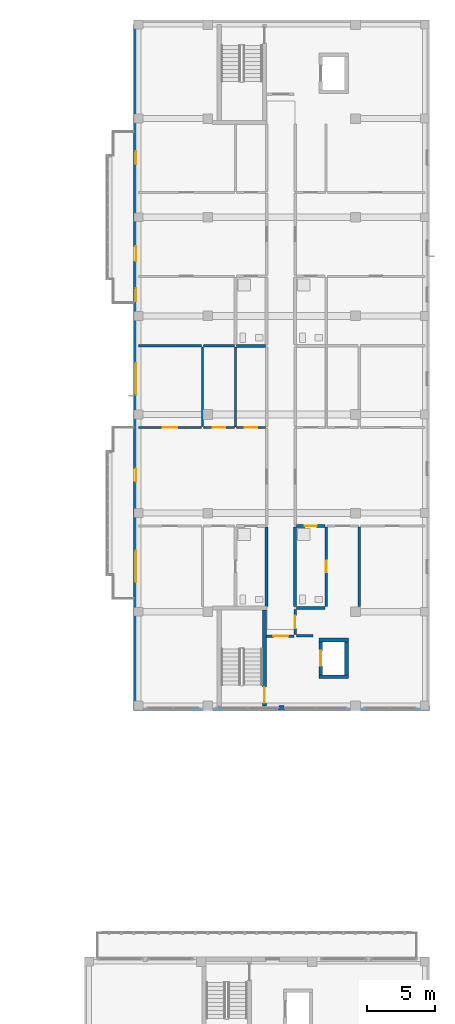
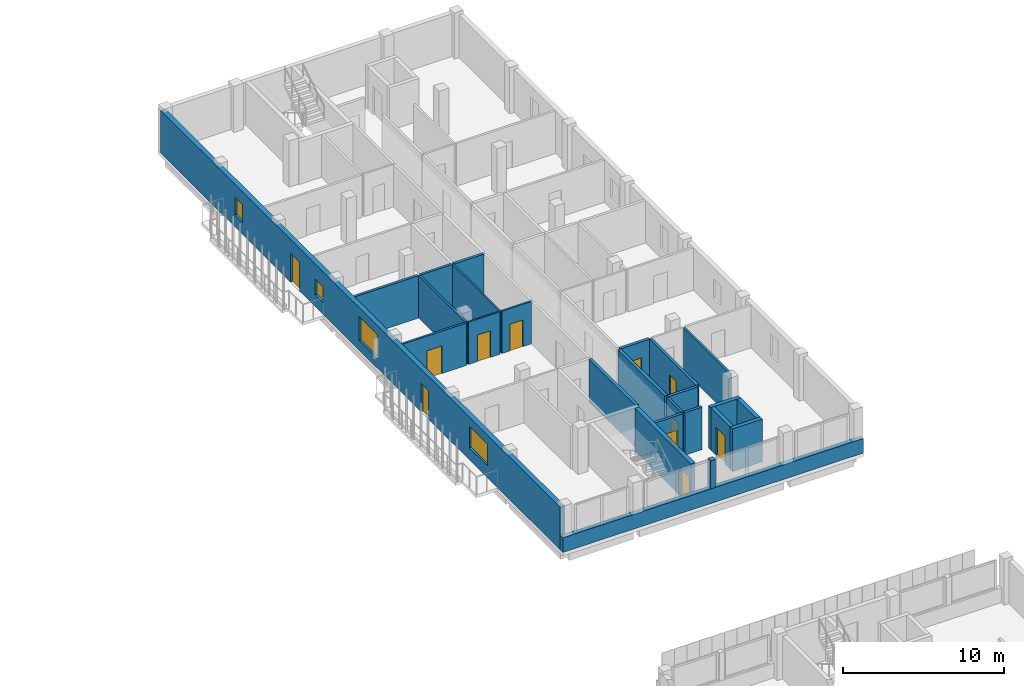
# One storey, part 49 of 73: 25 walls, 11 doors, 4 windows, 15 openings.
"""IFC4 building model written with IfcOpenShell, lengths in metres."""

from ifc_helpers import new_model, si_unit, derived_unit, direction, frame, frame_2d, origin, place, context, subcontext, project, spatial, rectangle, extrude, material, layer, layer_set, type_object, element, fill, save


model = new_model("IFC4")

# Units and contexts
model_context = context("Model", 3, precision=1e-05, world=origin(), true_north=direction((0.0, 1.0)))
body_context = subcontext(model_context, "Body", "Model", "MODEL_VIEW")
ifc_project = project(units=[si_unit("LENGTHUNIT", "METRE"), si_unit("AREAUNIT", "SQUARE_METRE"), si_unit("VOLUMEUNIT", "CUBIC_METRE"), si_unit("PLANEANGLEUNIT", "RADIAN"), si_unit("MASSUNIT", "GRAM", prefix="KILO"), derived_unit("THERMALTRANSMITTANCEUNIT", [(si_unit("MASSUNIT", "GRAM", prefix="KILO"), 1), (si_unit("TIMEUNIT", "SECOND"), -3), (si_unit("THERMODYNAMICTEMPERATUREUNIT", "KELVIN"), -1)])], contexts=[model_context])

# Site, building, storey
site_placement = place(None, origin())
site = spatial("IfcSite", under=ifc_project, at=site_placement, CompositionType="ELEMENT")
building_placement = place(site_placement, origin())
building = spatial("IfcBuilding", under=site, at=building_placement, Name="Ochrekiln Boulevard Commons", CompositionType="ELEMENT")
storey_placement = place(building_placement, frame((0.0, 0.0, 8.574951171875)))
storey = spatial("IfcBuildingStorey", under=building, at=storey_placement, Name="L02", CompositionType="ELEMENT", Elevation=8.574951171875)

# Wall, openings, doors, windows
ifc_material_1 = material(Name="Iron-spot brown clinker brick masonry ASTM C216 Grade SW", Category="masonry")
ifc_layer_1 = layer(ifc_material_1, 0.340087890625)
ifc_layer_set_1 = layer_set([ifc_layer_1], Name="Iron-spot brown clinker brick masonry ASTM C216 Grade SW")
wall_type_1 = type_object("IfcWallType", Name="WL-EXT-IRON-340", PredefinedType="SOLIDWALL", material=ifc_layer_set_1)
wall_1_placement = place(storey_placement, frame((151.3701171875, 68.739990234375, 0.0), z_axis=(0.0, 0.0, 1.0), x_axis=(0.0, 1.0, 0.0)))
wall_1 = element("IfcWall", 1, at=wall_1_placement, inside=storey, type_object=wall_type_1, Name="Block B L02 W Exterior Wall", PredefinedType="SOLIDWALL", context=body_context, shape_type="SweptSolid", body=[
    extrude(rectangle(XDim=49.719970703125, YDim=0.340087890625, at=frame_2d((24.85986328125, 0.0))), origin(), (0.0, 0.0, 1.0), 3.239990234375),
])
opening_1_placement = place(wall_1_placement, frame((16.360107421875, 0.0, 0.0)))
opening_1 = element("IfcOpeningElement", 2, at=opening_1_placement, cuts=wall_1, Name="Opening D-L02-BL023", PredefinedType="OPENING", context=body_context, shape_type="SweptSolid", body=[
    extrude(rectangle(XDim=0.949951171875, YDim=2.14990234375, at=frame_2d((0.47509765625, 1.074951171875))), frame((0.0, 0.179931640625, 0.0), z_axis=(0.0, -1.0, 0.0), x_axis=(1.0, 0.0, 0.0)), (0.0, 0.0, 1.0), 0.360107421875),
])
opening_2_placement = place(wall_1_placement, frame((9.001953125, 0.0, 0.89990234375)))
opening_2 = element("IfcOpeningElement", 3, at=opening_2_placement, cuts=wall_1, Name="Opening W-59", PredefinedType="OPENING", context=body_context, shape_type="SweptSolid", body=[
    extrude(rectangle(XDim=2.300048828125, YDim=1.64990234375, at=frame_2d((1.14990234375, 0.824951171875))), frame((0.0, 0.179931640625, 0.0), z_axis=(0.0, -1.0, 0.0), x_axis=(1.0, 0.0, 0.0)), (0.0, 0.0, 1.0), 0.360107421875),
])
opening_3_placement = place(wall_1_placement, frame((22.7041015625, 0.0, 0.7548828125)))
opening_3 = element("IfcOpeningElement", 4, at=opening_3_placement, cuts=wall_1, Name="Opening W-60", PredefinedType="OPENING", context=body_context, shape_type="SweptSolid", body=[
    extrude(rectangle(XDim=2.300048828125, YDim=1.800048828125, at=frame_2d((1.14990234375, 0.89990234375))), frame((0.0, 0.179931640625, 0.0), z_axis=(0.0, -1.0, 0.0), x_axis=(1.0, 0.0, 0.0)), (0.0, 0.0, 1.0), 0.360107421875),
])
opening_4_placement = place(wall_1_placement, frame((32.455078125, 0.0, 0.0)))
opening_4 = element("IfcOpeningElement", 5, at=opening_4_placement, cuts=wall_1, Name="Opening D-L02-BL024", PredefinedType="OPENING", context=body_context, shape_type="SweptSolid", body=[
    extrude(rectangle(XDim=1.080078125, YDim=2.179931640625, at=frame_2d((0.5400390625, 1.08984375))), frame((0.0, 0.179931640625, 0.0), z_axis=(0.0, -1.0, 0.0), x_axis=(1.0, 0.0, 0.0)), (0.0, 0.0, 1.0), 0.360107421875),
])
opening_5_placement = place(wall_1_placement, frame((29.52490234375, 0.0, 0.89990234375)))
opening_5 = element("IfcOpeningElement", 6, at=opening_5_placement, cuts=wall_1, Name="Opening W-01", PredefinedType="OPENING", context=body_context, shape_type="SweptSolid", body=[
    extrude(rectangle(XDim=0.949951171875, YDim=1.199951171875, at=frame_2d((0.47509765625, 0.60009765625))), frame((0.0, 0.179931640625, 0.0), z_axis=(0.0, -1.0, 0.0), x_axis=(1.0, 0.0, 0.0)), (0.0, 0.0, 1.0), 0.360107421875),
])
opening_6_placement = place(wall_1_placement, frame((39.529052734375, 0.0, 0.89990234375)))
opening_6 = element("IfcOpeningElement", 7, at=opening_6_placement, cuts=wall_1, Name="Opening W-02", PredefinedType="OPENING", context=body_context, shape_type="SweptSolid", body=[
    extrude(rectangle(XDim=0.949951171875, YDim=1.35009765625, at=frame_2d((0.47509765625, 0.675048828125))), frame((0.0, 0.179931640625, 0.0), z_axis=(0.0, -1.0, 0.0), x_axis=(1.0, 0.0, 0.0)), (0.0, 0.0, 1.0), 0.360107421875),
])
ifc_material_2 = material(Name="Thermally broken aluminium-clad oak frame", Category="aluminium")
door_type_1 = type_object("IfcDoorType", Name="DR-EXT-BAL-095", OperationType="NOTDEFINED", PredefinedType="DOOR", material=ifc_material_2)
door_1_placement = place(opening_1_placement, origin())
door_1 = element("IfcDoor", 8, at=door_1_placement, inside=storey, type_object=door_type_1, Name="Block B L02 Glazed Balcony Patio Door", OperationType="SINGLE_SWING_RIGHT", OverallHeight=2.14990234375, OverallWidth=0.949951171875, PredefinedType="DOOR", context=body_context, shape_type="SweptSolid", body=[
    extrude(rectangle(XDim=0.949951171875, YDim=2.14990234375, at=frame_2d((0.47509765625, 1.074951171875))), frame((0.0, 0.02490234375, 0.0), z_axis=(0.0, -1.0, 0.0), x_axis=(1.0, 0.0, 0.0)), (0.0, 0.0, 1.0), 0.050048828125),
])
fill(opening_1, door_1)
door_type_2 = type_object("IfcDoorType", Name="DR-EXT-BAL-108", OperationType="NOTDEFINED", PredefinedType="DOOR", material=ifc_material_2)
door_2_placement = place(opening_4_placement, origin())
door_2 = element("IfcDoor", 9, at=door_2_placement, inside=storey, type_object=door_type_2, Name="Block B L02 Glazed Balcony Patio Door", OperationType="SINGLE_SWING_LEFT", OverallHeight=2.179931640625, OverallWidth=1.080078125, PredefinedType="DOOR", context=body_context, shape_type="SweptSolid", body=[
    extrude(rectangle(XDim=1.080078125, YDim=2.179931640625, at=frame_2d((0.5400390625, 1.08984375))), frame((0.0, 0.02490234375, 0.0), z_axis=(0.0, -1.0, 0.0), x_axis=(1.0, 0.0, 0.0)), (0.0, 0.0, 1.0), 0.050048828125),
])
fill(opening_4, door_2)
window_type_1 = type_object("IfcWindowType", Name="WIN-EXT-01", PartitioningType="SINGLE_PANEL", PredefinedType="WINDOW", material=ifc_material_2)
window_1_placement = place(opening_5_placement, origin())
window_1 = element("IfcWindow", 10, at=window_1_placement, inside=storey, type_object=window_type_1, Name="Block B L02 Punched Masonry Window W-01", OverallHeight=1.199951171875, OverallWidth=0.949951171875, PartitioningType="SINGLE_PANEL", PredefinedType="WINDOW", context=body_context, shape_type="SweptSolid", body=[
    extrude(rectangle(XDim=0.949951171875, YDim=1.199951171875, at=frame_2d((0.47509765625, 0.60009765625))), frame((0.0, 0.030029296875, 0.0), z_axis=(0.0, -1.0, 0.0), x_axis=(1.0, 0.0, 0.0)), (0.0, 0.0, 1.0), 0.06005859375),
])
fill(opening_5, window_1)
window_type_2 = type_object("IfcWindowType", Name="WIN-EXT-02", PartitioningType="SINGLE_PANEL", PredefinedType="WINDOW", material=ifc_material_2)
window_2_placement = place(opening_6_placement, origin())
window_2 = element("IfcWindow", 11, at=window_2_placement, inside=storey, type_object=window_type_2, Name="Block B L02 Punched Masonry Window W-02", OverallHeight=1.35009765625, OverallWidth=0.949951171875, PartitioningType="SINGLE_PANEL", PredefinedType="WINDOW", context=body_context, shape_type="SweptSolid", body=[
    extrude(rectangle(XDim=0.949951171875, YDim=1.35009765625, at=frame_2d((0.47509765625, 0.675048828125))), frame((0.0, 0.030029296875, 0.0), z_axis=(0.0, -1.0, 0.0), x_axis=(1.0, 0.0, 0.0)), (0.0, 0.0, 1.0), 0.06005859375),
])
fill(opening_6, window_2)
window_type_3 = type_object("IfcWindowType", Name="WIN-EXT-59", PartitioningType="DOUBLE_PANEL_VERTICAL", PredefinedType="WINDOW", material=ifc_material_2)
window_3_placement = place(opening_2_placement, origin())
window_3 = element("IfcWindow", 12, at=window_3_placement, inside=storey, type_object=window_type_3, Name="Block B L02 Punched Masonry Window W-59", OverallHeight=1.64990234375, OverallWidth=2.300048828125, PartitioningType="DOUBLE_PANEL_VERTICAL", PredefinedType="WINDOW", context=body_context, shape_type="SweptSolid", body=[
    extrude(rectangle(XDim=2.300048828125, YDim=1.64990234375, at=frame_2d((1.14990234375, 0.824951171875))), frame((0.0, 0.030029296875, 0.0), z_axis=(0.0, -1.0, 0.0), x_axis=(1.0, 0.0, 0.0)), (0.0, 0.0, 1.0), 0.06005859375),
])
fill(opening_2, window_3)
window_type_4 = type_object("IfcWindowType", Name="WIN-EXT-60", PartitioningType="DOUBLE_PANEL_VERTICAL", PredefinedType="WINDOW", material=ifc_material_2)
window_4_placement = place(opening_3_placement, origin())
window_4 = element("IfcWindow", 13, at=window_4_placement, inside=storey, type_object=window_type_4, Name="Block B L02 Punched Masonry Window W-60", OverallHeight=1.800048828125, OverallWidth=2.300048828125, PartitioningType="DOUBLE_PANEL_VERTICAL", PredefinedType="WINDOW", context=body_context, shape_type="SweptSolid", body=[
    extrude(rectangle(XDim=2.300048828125, YDim=1.800048828125, at=frame_2d((1.14990234375, 0.89990234375))), frame((0.0, 0.030029296875, 0.0), z_axis=(0.0, -1.0, 0.0), x_axis=(1.0, 0.0, 0.0)), (0.0, 0.0, 1.0), 0.06005859375),
])
fill(opening_3, window_4)

# Walls
wall_2_placement = place(storey_placement, frame((151.199951171875, 68.570068359375, 0.0), z_axis=(0.0, 0.0, 1.0), x_axis=(1.0, 0.0, 0.0)))
element("IfcWall", 14, at=wall_2_placement, inside=storey, type_object=wall_type_1, Name="Block B L02 Courtyard Gable Sill Wall", PredefinedType="SOLIDWALL", context=body_context, shape_type="SweptSolid", body=[
    extrude(rectangle(XDim=21.60009765625, YDim=0.340087890625, at=frame_2d((10.800048828125, 0.0))), origin(), (0.0, 0.0, 1.0), 1.110107421875),
])
wall_3_placement = place(storey_placement, frame((161.820068359375, 68.570068359375, 1.110107421875), z_axis=(0.0, 0.0, 1.0), x_axis=(1.0, 0.0, 0.0)))
element("IfcWall", 15, at=wall_3_placement, inside=storey, type_object=wall_type_1, Name="Block B L02 Courtyard Gable Mullion Pier", PredefinedType="SOLIDWALL", context=body_context, shape_type="SweptSolid", body=[
    extrude(rectangle(XDim=0.35986328125, YDim=0.340087890625, at=frame_2d((0.179931640625, 0.0))), origin(), (0.0, 0.0, 1.0), 2.1298828125),
])
ifc_material_3 = material(Name="Moisture-resistant cementitious tile backer wall")
ifc_layer_2 = layer(ifc_material_3, 0.199951171875)
ifc_layer_set_2 = layer_set([ifc_layer_2], Name="Moisture-resistant cementitious tile backer wall")
wall_type_2 = type_object("IfcWallType", Name="WL-PLM-200", PredefinedType="PLUMBINGWALL", material=ifc_layer_set_2)
wall_4_placement = place(storey_placement, frame((163.072998046875, 75.875, 0.0), z_axis=(0.0, 0.0, 1.0), x_axis=(1.0, 0.0, 0.0)))
element("IfcWall", 16, at=wall_4_placement, inside=storey, type_object=wall_type_2, Name="L02 Interior Wall W-PW200", PredefinedType="PLUMBINGWALL", context=body_context, shape_type="SweptSolid", body=[
    extrude(rectangle(XDim=2.10693359375, YDim=0.199951171875, at=frame_2d((1.053466796875, 0.0))), origin(), (0.0, 0.0, 1.0), 3.219970703125),
])
wall_5_placement = place(storey_placement, frame((158.699951171875, 95.008056640625, 0.0), z_axis=(0.0, 0.0, 1.0), x_axis=(1.0, 0.0, 0.0)))
element("IfcWall", 17, at=wall_5_placement, inside=storey, type_object=wall_type_2, Name="L02 Interior Wall W-PW200", PredefinedType="PLUMBINGWALL", context=body_context, shape_type="SweptSolid", body=[
    extrude(rectangle(XDim=2.126953125, YDim=0.199951171875, at=frame_2d((1.0634765625, 0.0))), origin(), (0.0, 0.0, 1.0), 3.219970703125),
])

# Wall, opening, door
wall_6_placement = place(storey_placement, frame((163.072998046875, 81.864990234375, 0.0), z_axis=(0.0, 0.0, 1.0), x_axis=(1.0, 0.0, 0.0)))
wall_6 = element("IfcWall", 18, at=wall_6_placement, inside=storey, type_object=wall_type_2, Name="L02 Interior Wall W-PW200", PredefinedType="PLUMBINGWALL", context=body_context, shape_type="SweptSolid", body=[
    extrude(rectangle(XDim=2.10693359375, YDim=0.199951171875, at=frame_2d((1.053466796875, 0.0))), origin(), (0.0, 0.0, 1.0), 3.219970703125),
])
opening_7_placement = place(wall_6_placement, frame((0.626953125, 0.0, 0.0)))
opening_7 = element("IfcOpeningElement", 19, at=opening_7_placement, cuts=wall_6, Name="Opening D-L02-354", PredefinedType="OPENING", context=body_context, shape_type="SweptSolid", body=[
    extrude(rectangle(XDim=0.860107421875, YDim=2.0, at=frame_2d((0.43017578125, 1.0))), frame((0.0, 0.10986328125, 0.0), z_axis=(0.0, -1.0, 0.0), x_axis=(1.0, 0.0, 0.0)), (0.0, 0.0, 1.0), 0.219970703125),
])
ifc_material_4 = material(Name="Solid core architectural oak door leaf")
door_type_3 = type_object("IfcDoorType", Name="DR-INT-BTH-086", OperationType="NOTDEFINED", PredefinedType="DOOR", material=ifc_material_4)
door_3_placement = place(opening_7_placement, frame((0.860107421875, 0.0, 0.0), z_axis=(0.0, 0.0, 1.0), x_axis=(-1.0, 0.0, 0.0)))
door_3 = element("IfcDoor", 20, at=door_3_placement, inside=storey, type_object=door_type_3, Name="L02 Interior Door to Apartment Bathroom", OperationType="SINGLE_SWING_RIGHT", OverallHeight=2.0, OverallWidth=0.860107421875, PredefinedType="DOOR", context=body_context, shape_type="SweptSolid", body=[
    extrude(rectangle(XDim=0.860107421875, YDim=2.0, at=frame_2d((0.43017578125, 1.0))), frame((0.0, 0.02490234375, 0.0), z_axis=(0.0, -1.0, 0.0), x_axis=(1.0, 0.0, 0.0)), (0.0, 0.0, 1.0), 0.050048828125),
])
fill(opening_7, door_3)

wall_7_placement = place(storey_placement, frame((165.260009765625, 75.97509765625, 0.0), z_axis=(0.0, 0.0, 1.0), x_axis=(0.0, 1.0, 0.0)))
wall_7 = element("IfcWall", 21, at=wall_7_placement, inside=storey, type_object=wall_type_2, Name="L02 Interior Wall W-PW200", PredefinedType="PLUMBINGWALL", context=body_context, shape_type="SweptSolid", body=[
    extrude(rectangle(XDim=5.829833984375, YDim=0.199951171875, at=frame_2d((2.9150390625, 0.0))), origin(), (0.0, 0.0, 1.0), 3.219970703125),
])
opening_8_placement = place(wall_7_placement, frame((2.492919921875, 0.0, 0.0)))
opening_8 = element("IfcOpeningElement", 22, at=opening_8_placement, cuts=wall_7, Name="Opening D-L02-360", PredefinedType="OPENING", context=body_context, shape_type="SweptSolid", body=[
    extrude(rectangle(XDim=0.85009765625, YDim=2.010009765625, at=frame_2d((0.425048828125, 1.0048828125))), frame((0.0, 0.10986328125, 0.0), z_axis=(0.0, -1.0, 0.0), x_axis=(1.0, 0.0, 0.0)), (0.0, 0.0, 1.0), 0.219970703125),
])
door_type_4 = type_object("IfcDoorType", Name="DR-INT-KIT-085", OperationType="NOTDEFINED", PredefinedType="DOOR", material=ifc_material_4)
door_4_placement = place(opening_8_placement, origin())
door_4 = element("IfcDoor", 23, at=door_4_placement, inside=storey, type_object=door_type_4, Name="L02 Interior Door to Apartment Bathroom", OperationType="SINGLE_SWING_RIGHT", OverallHeight=2.010009765625, OverallWidth=0.85009765625, PredefinedType="DOOR", context=body_context, shape_type="SweptSolid", body=[
    extrude(rectangle(XDim=0.85009765625, YDim=2.010009765625, at=frame_2d((0.425048828125, 1.0048828125))), frame((0.0, 0.02490234375, 0.0), z_axis=(0.0, -1.0, 0.0), x_axis=(1.0, 0.0, 0.0)), (0.0, 0.0, 1.0), 0.050048828125),
])
fill(opening_8, door_4)

# Walls
ifc_layer_3 = layer(ifc_material_3, 0.219970703125)
ifc_layer_set_3 = layer_set([ifc_layer_3], Name="Moisture-resistant cementitious tile backer wall")
wall_type_3 = type_object("IfcWallType", Name="WL-PLM-220", PredefinedType="PLUMBINGWALL", material=ifc_layer_set_3)
wall_8_placement = place(storey_placement, frame((160.909912109375, 76.0, 0.0), z_axis=(0.0, 0.0, 1.0), x_axis=(0.0, 1.0, 0.0)))
element("IfcWall", 24, at=wall_8_placement, inside=storey, type_object=wall_type_3, Name="L02 Interior Wall W-PW220", PredefinedType="PLUMBINGWALL", context=body_context, shape_type="SweptSolid", body=[
    extrude(rectangle(XDim=5.784912109375, YDim=0.219970703125, at=frame_2d((2.892578125, 0.0))), origin(), (0.0, 0.0, 1.0), 3.219970703125),
])
wall_9_placement = place(storey_placement, frame((162.989990234375, 75.97509765625, 0.0), z_axis=(0.0, 0.0, 1.0), x_axis=(0.0, 1.0, 0.0)))
element("IfcWall", 25, at=wall_9_placement, inside=storey, type_object=wall_type_3, Name="L02 Interior Wall W-PW220", PredefinedType="PLUMBINGWALL", context=body_context, shape_type="SweptSolid", body=[
    extrude(rectangle(XDim=5.809814453125, YDim=0.219970703125, at=frame_2d((2.90478515625, 0.0))), origin(), (0.0, 0.0, 1.0), 3.219970703125),
])

# Wall, opening, door
ifc_material_5 = material(Name="Fire-rated Type X gypsum board on steel studs", Category="steel")
ifc_layer_4 = layer(ifc_material_5, 0.1650390625)
ifc_layer_set_4 = layer_set([ifc_layer_4], Name="Fire-rated Type X gypsum board on steel studs")
wall_type_4 = type_object("IfcWallType", Name="WL-PT-CORR-165", PredefinedType="PARTITIONING", material=ifc_layer_set_4)
wall_10_placement = place(storey_placement, frame((162.989990234375, 73.929931640625, 0.0), z_axis=(0.0, 0.0, 1.0), x_axis=(0.0, 1.0, 0.0)))
wall_10 = element("IfcWall", 26, at=wall_10_placement, inside=storey, type_object=wall_type_4, Name="L02 Interior Wall W-PC165", PredefinedType="PARTITIONING", context=body_context, shape_type="SweptSolid", body=[
    extrude(rectangle(XDim=1.820068359375, YDim=0.1650390625, at=frame_2d((0.91015625, 0.0))), origin(), (0.0, 0.0, 1.0), 3.219970703125),
])
opening_9_placement = place(wall_10_placement, frame((0.4599609375, 0.0, 0.0)))
opening_9 = element("IfcOpeningElement", 27, at=opening_9_placement, cuts=wall_10, Name="Opening D-L02-338", PredefinedType="OPENING", context=body_context, shape_type="SweptSolid", body=[
    extrude(rectangle(XDim=0.919921875, YDim=2.0400390625, at=frame_2d((0.4599609375, 1.02001953125))), frame((0.0, 0.092529296875, 0.0), z_axis=(0.0, -1.0, 0.0), x_axis=(1.0, 0.0, 0.0)), (0.0, 0.0, 1.0), 0.18505859375),
])
ifc_material_6 = material(Name="Hollow metal fire-rated steel door assembly", Category="steel")
door_type_5 = type_object("IfcDoorType", Name="DR-SRV-90", OperationType="NOTDEFINED", PredefinedType="DOOR", material=ifc_material_6)
door_5_placement = place(opening_9_placement, frame((0.919921875, 0.0, 0.0), z_axis=(0.0, 0.0, 1.0), x_axis=(-1.0, 0.0, 0.0)))
door_5 = element("IfcDoor", 28, at=door_5_placement, inside=storey, type_object=door_type_5, Name="L02 Interior Door to Hydronic and Electrical Riser Room", OperationType="SINGLE_SWING_RIGHT", OverallHeight=2.0400390625, OverallWidth=0.919921875, PredefinedType="DOOR", context=body_context, shape_type="SweptSolid", body=[
    extrude(rectangle(XDim=0.919921875, YDim=2.0400390625, at=frame_2d((0.4599609375, 1.02001953125))), frame((0.0, 0.02490234375, 0.0), z_axis=(0.0, -1.0, 0.0), x_axis=(1.0, 0.0, 0.0)), (0.0, 0.0, 1.0), 0.050048828125),
])
fill(opening_9, door_5)

# Walls
ifc_layer_5 = layer(ifc_material_5, 0.179931640625)
ifc_layer_set_5 = layer_set([ifc_layer_5], Name="Fire-rated Type X gypsum board on steel studs")
wall_type_5 = type_object("IfcWallType", Name="WL-PT-DEM-180", PredefinedType="PARTITIONING", material=ifc_layer_set_5)
wall_11_placement = place(storey_placement, frame((151.5400390625, 95.008056640625, 0.0), z_axis=(0.0, 0.0, 1.0), x_axis=(1.0, 0.0, 0.0)))
element("IfcWall", 29, at=wall_11_placement, inside=storey, type_object=wall_type_5, Name="L02 Interior Wall W-PD180", PredefinedType="PARTITIONING", context=body_context, shape_type="SweptSolid", body=[
    extrude(rectangle(XDim=4.60986328125, YDim=0.179931640625, at=frame_2d((2.304931640625, 0.0))), origin(), (0.0, 0.0, 1.0), 3.219970703125),
])
wall_12_placement = place(storey_placement, frame((156.304931640625, 95.008056640625, 0.0), z_axis=(0.0, 0.0, 1.0), x_axis=(1.0, 0.0, 0.0)))
element("IfcWall", 30, at=wall_12_placement, inside=storey, type_object=wall_type_5, Name="L02 Interior Wall W-PD180", PredefinedType="PARTITIONING", context=body_context, shape_type="SweptSolid", body=[
    extrude(rectangle(XDim=2.275146484375, YDim=0.179931640625, at=frame_2d((1.1376953125, 0.0))), origin(), (0.0, 0.0, 1.0), 3.219970703125),
])
ifc_layer_6 = layer(ifc_material_5, 0.18994140625)
ifc_layer_set_6 = layer_set([ifc_layer_6], Name="Fire-rated Type X gypsum board on steel studs")
wall_type_6 = type_object("IfcWallType", Name="WL-PT-LBY-190", PredefinedType="PARTITIONING", material=ifc_layer_set_6)
wall_13_placement = place(storey_placement, frame((163.080078125, 73.8349609375, 0.0), z_axis=(0.0, 0.0, 1.0), x_axis=(1.0, 0.0, 0.0)))
element("IfcWall", 31, at=wall_13_placement, inside=storey, type_object=wall_type_6, Name="L02 Interior Wall W-PL190", PredefinedType="PARTITIONING", context=body_context, shape_type="SweptSolid", body=[
    extrude(rectangle(XDim=1.219970703125, YDim=0.18994140625, at=frame_2d((0.60986328125, 0.0))), origin(), (0.0, 0.0, 1.0), 3.219970703125),
])

# Wall, opening, door
wall_14_placement = place(storey_placement, frame((160.89990234375, 73.820068359375, 0.0), z_axis=(0.0, 0.0, 1.0), x_axis=(1.0, 0.0, 0.0)))
wall_14 = element("IfcWall", 32, at=wall_14_placement, inside=storey, type_object=wall_type_6, Name="L02 Interior Wall W-PL190", PredefinedType="PARTITIONING", context=body_context, shape_type="SweptSolid", body=[
    extrude(rectangle(XDim=2.0, YDim=0.18994140625, at=frame_2d((1.0, 0.0))), origin(), (0.0, 0.0, 1.0), 3.219970703125),
])
opening_10_placement = place(wall_14_placement, frame((0.5, 0.0, 0.0)))
opening_10 = element("IfcOpeningElement", 33, at=opening_10_placement, cuts=wall_14, Name="Opening D-L02-336", PredefinedType="OPENING", context=body_context, shape_type="SweptSolid", body=[
    extrude(rectangle(XDim=1.10009765625, YDim=2.1201171875, at=frame_2d((0.550048828125, 1.06005859375))), frame((0.0, 0.10498046875, 0.0), z_axis=(0.0, -1.0, 0.0), x_axis=(1.0, 0.0, 0.0)), (0.0, 0.0, 1.0), 0.2099609375),
])
door_type_6 = type_object("IfcDoorType", Name="DR-LOBBY-60", OperationType="NOTDEFINED", PredefinedType="DOOR", material=ifc_material_6)
door_6_placement = place(opening_10_placement, frame((1.10009765625, 0.0, 0.0), z_axis=(0.0, 0.0, 1.0), x_axis=(-1.0, 0.0, 0.0)))
door_6 = element("IfcDoor", 34, at=door_6_placement, inside=storey, type_object=door_type_6, Name="L02 Interior Door to Fire Service Access Elevator Lobby", OperationType="SINGLE_SWING_RIGHT", OverallHeight=2.1201171875, OverallWidth=1.10009765625, PredefinedType="DOOR", context=body_context, shape_type="SweptSolid", body=[
    extrude(rectangle(XDim=1.10009765625, YDim=2.1201171875, at=frame_2d((0.550048828125, 1.06005859375))), frame((0.0, 0.02490234375, 0.0), z_axis=(0.0, -1.0, 0.0), x_axis=(1.0, 0.0, 0.0)), (0.0, 0.0, 1.0), 0.050048828125),
])
fill(opening_10, door_6)

ifc_layer_7 = layer(ifc_material_5, 0.1201171875)
ifc_layer_set_7 = layer_set([ifc_layer_7], Name="Fire-rated Type X gypsum board on steel studs")
wall_type_7 = type_object("IfcWallType", Name="WL-PT-LGT-120", PredefinedType="PARTITIONING", material=ifc_layer_set_7)
wall_15_placement = place(storey_placement, frame((158.719970703125, 89.052978515625, 0.0), z_axis=(0.0, 0.0, 1.0), x_axis=(1.0, 0.0, 0.0)))
wall_15 = element("IfcWall", 35, at=wall_15_placement, inside=storey, type_object=wall_type_7, Name="L02 Interior Wall W-PL120", PredefinedType="PARTITIONING", context=body_context, shape_type="SweptSolid", body=[
    extrude(rectangle(XDim=2.10693359375, YDim=0.1201171875, at=frame_2d((1.053466796875, 0.0))), origin(), (0.0, 0.0, 1.0), 3.219970703125),
])
opening_11_placement = place(wall_15_placement, frame((0.590087890625, 0.0, 0.0)))
opening_11 = element("IfcOpeningElement", 36, at=opening_11_placement, cuts=wall_15, Name="Opening D-L02-344", PredefinedType="OPENING", context=body_context, shape_type="SweptSolid", body=[
    extrude(rectangle(XDim=0.919921875, YDim=2.02001953125, at=frame_2d((0.4599609375, 1.010009765625))), frame((0.0, 0.070068359375, 0.0), z_axis=(0.0, -1.0, 0.0), x_axis=(1.0, 0.0, 0.0)), (0.0, 0.0, 1.0), 0.14013671875),
])
door_type_7 = type_object("IfcDoorType", Name="DR-INT-KIT-092", OperationType="NOTDEFINED", PredefinedType="DOOR", material=ifc_material_4)
door_7_placement = place(opening_11_placement, origin())
door_7 = element("IfcDoor", 37, at=door_7_placement, inside=storey, type_object=door_type_7, Name="L02 Interior Door to Apartment Kitchen", OperationType="SINGLE_SWING_RIGHT", OverallHeight=2.02001953125, OverallWidth=0.919921875, PredefinedType="DOOR", context=body_context, shape_type="SweptSolid", body=[
    extrude(rectangle(XDim=0.919921875, YDim=2.02001953125, at=frame_2d((0.4599609375, 1.010009765625))), frame((0.0, 0.02490234375, 0.0), z_axis=(0.0, -1.0, 0.0), x_axis=(1.0, 0.0, 0.0)), (0.0, 0.0, 1.0), 0.050048828125),
])
fill(opening_11, door_7)

wall_16_placement = place(storey_placement, frame((156.31005859375, 89.052978515625, 0.0), z_axis=(0.0, 0.0, 1.0), x_axis=(1.0, 0.0, 0.0)))
wall_16 = element("IfcWall", 38, at=wall_16_placement, inside=storey, type_object=wall_type_7, Name="L02 Interior Wall W-PL120", PredefinedType="PARTITIONING", context=body_context, shape_type="SweptSolid", body=[
    extrude(rectangle(XDim=2.25, YDim=0.1201171875, at=frame_2d((1.125, 0.0))), origin(), (0.0, 0.0, 1.0), 3.219970703125),
])
opening_12_placement = place(wall_16_placement, frame((0.6650390625, 0.0, 0.0)))
opening_12 = element("IfcOpeningElement", 39, at=opening_12_placement, cuts=wall_16, Name="Opening D-L02-348", PredefinedType="OPENING", context=body_context, shape_type="SweptSolid", body=[
    extrude(rectangle(XDim=0.919921875, YDim=2.02001953125, at=frame_2d((0.4599609375, 1.010009765625))), frame((0.0, 0.070068359375, 0.0), z_axis=(0.0, -1.0, 0.0), x_axis=(1.0, 0.0, 0.0)), (0.0, 0.0, 1.0), 0.14013671875),
])
door_8_placement = place(opening_12_placement, origin())
door_8 = element("IfcDoor", 40, at=door_8_placement, inside=storey, type_object=door_type_7, Name="L02 Interior Door to Apartment Walk-In Wardrobe", OperationType="SINGLE_SWING_RIGHT", OverallHeight=2.02001953125, OverallWidth=0.919921875, PredefinedType="DOOR", context=body_context, shape_type="SweptSolid", body=[
    extrude(rectangle(XDim=0.919921875, YDim=2.02001953125, at=frame_2d((0.4599609375, 1.010009765625))), frame((0.0, 0.02490234375, 0.0), z_axis=(0.0, -1.0, 0.0), x_axis=(1.0, 0.0, 0.0)), (0.0, 0.0, 1.0), 0.050048828125),
])
fill(opening_12, door_8)

# Wall
wall_17_placement = place(storey_placement, frame((158.639892578125, 89.113037109375, 0.0), z_axis=(0.0, 0.0, 1.0), x_axis=(0.0, 1.0, 0.0)))
element("IfcWall", 41, at=wall_17_placement, inside=storey, type_object=wall_type_7, Name="L02 Interior Wall W-PL120", PredefinedType="PARTITIONING", context=body_context, shape_type="SweptSolid", body=[
    extrude(rectangle(XDim=5.804931640625, YDim=0.1201171875, at=frame_2d((2.90234375, 0.0))), origin(), (0.0, 0.0, 1.0), 3.219970703125),
])

# Wall, opening, door
ifc_layer_8 = layer(ifc_material_5, 0.14990234375)
ifc_layer_set_8 = layer_set([ifc_layer_8], Name="Fire-rated Type X gypsum board on steel studs")
wall_type_8 = type_object("IfcWallType", Name="WL-PT-STD-150", PredefinedType="PARTITIONING", material=ifc_layer_set_8)
wall_18_placement = place(storey_placement, frame((151.5400390625, 89.052978515625, 0.0), z_axis=(0.0, 0.0, 1.0), x_axis=(1.0, 0.0, 0.0)))
wall_18 = element("IfcWall", 42, at=wall_18_placement, inside=storey, type_object=wall_type_8, Name="L02 Interior Wall W-PS150", PredefinedType="PARTITIONING", context=body_context, shape_type="SweptSolid", body=[
    extrude(rectangle(XDim=4.60986328125, YDim=0.14990234375, at=frame_2d((2.304931640625, 0.0))), origin(), (0.0, 0.0, 1.0), 3.219970703125),
])
opening_13_placement = place(wall_18_placement, frame((1.77001953125, 0.0, 0.0)))
opening_13 = element("IfcOpeningElement", 43, at=opening_13_placement, cuts=wall_18, Name="Opening D-L02-347", PredefinedType="OPENING", context=body_context, shape_type="SweptSolid", body=[
    extrude(rectangle(XDim=1.080078125, YDim=2.10009765625, at=frame_2d((0.5400390625, 1.050048828125))), frame((0.0, 0.0849609375, 0.0), z_axis=(0.0, -1.0, 0.0), x_axis=(1.0, 0.0, 0.0)), (0.0, 0.0, 1.0), 0.169921875),
])
door_type_8 = type_object("IfcDoorType", Name="DR-INT-BED-108", OperationType="NOTDEFINED", PredefinedType="DOOR", material=ifc_material_4)
door_9_placement = place(opening_13_placement, origin())
door_9 = element("IfcDoor", 44, at=door_9_placement, inside=storey, type_object=door_type_8, Name="L02 Interior Door to Secondary Apartment Bedroom", OperationType="SINGLE_SWING_LEFT", OverallHeight=2.10009765625, OverallWidth=1.080078125, PredefinedType="DOOR", context=body_context, shape_type="SweptSolid", body=[
    extrude(rectangle(XDim=1.080078125, YDim=2.10009765625, at=frame_2d((0.5400390625, 1.050048828125))), frame((0.0, 0.02490234375, 0.0), z_axis=(0.0, -1.0, 0.0), x_axis=(1.0, 0.0, 0.0)), (0.0, 0.0, 1.0), 0.050048828125),
])
fill(opening_13, door_9)

# Walls
for number, where, z_axis, x_axis, name in (
    (45, (156.22998046875, 89.113037109375, 0.0), (0.0, 0.0, 1.0), (0.0, 1.0, 0.0), "L02 Interior Wall W-PS150"),
    (46, (167.669921875, 76.0, 0.0), (0.0, 0.0, 1.0), (0.0, 1.0, 0.0), "L02 Interior Wall W-PS150"),
):
    element("IfcWall", number, at=place(storey_placement, frame(where, z_axis=z_axis, x_axis=x_axis)), inside=storey, type_object=wall_type_8, Name=name, PredefinedType="PARTITIONING", context=body_context, shape_type="SweptSolid", body=[
        extrude(rectangle(XDim=5.804931640625, YDim=0.14990234375, at=frame_2d((2.90234375, 0.0))), origin(), (0.0, 0.0, 1.0), 3.219970703125),
    ])
ifc_material_7 = material(Name="Concrete C40/50", Category="concrete")
ifc_layer_9 = layer(ifc_material_7, 0.27490234375)
ifc_layer_set_9 = layer_set([ifc_layer_9], Name="Concrete C40/50")
wall_type_9 = type_object("IfcWallType", Name="WL-SH-275", PredefinedType="SHEAR", material=ifc_layer_set_9)
for number, where, z_axis, x_axis, name in (
    (47, (164.72509765625, 70.862548828125, 0.0), (0.0, 0.0, 1.0), (1.0, 0.0, 0.0), "Elevator FF-B1 L02 Hoistway Shear Wall"),
    (48, (164.72509765625, 73.53759765625, 0.0), (0.0, 0.0, 1.0), (1.0, 0.0, 0.0), "Elevator FF-B1 L02 Hoistway Shear Wall"),
):
    element("IfcWall", number, at=place(storey_placement, frame(where, z_axis=z_axis, x_axis=x_axis)), inside=storey, type_object=wall_type_9, Name=name, PredefinedType="SHEAR", context=body_context, shape_type="SweptSolid", body=[
        extrude(rectangle(XDim=2.14990234375, YDim=0.27490234375, at=frame_2d((1.074951171875, 0.0))), origin(), (0.0, 0.0, 1.0), 3.239990234375),
    ])

# Wall, opening, door
wall_19_placement = place(storey_placement, frame((164.862548828125, 71.0, 0.0), z_axis=(0.0, 0.0, 1.0), x_axis=(0.0, 1.0, 0.0)))
wall_19 = element("IfcWall", 49, at=wall_19_placement, inside=storey, type_object=wall_type_9, Name="Elevator FF-B1 L02 Hoistway Shear Wall", PredefinedType="SHEAR", context=body_context, shape_type="SweptSolid", body=[
    extrude(rectangle(XDim=2.39990234375, YDim=0.27490234375, at=frame_2d((1.199951171875, 0.0))), origin(), (0.0, 0.0, 1.0), 3.239990234375),
])
opening_14_placement = place(wall_19_placement, frame((0.64990234375, 0.0, 0.0)))
opening_14 = element("IfcOpeningElement", 50, at=opening_14_placement, cuts=wall_19, Name="Opening LD-FF-B1-L02", PredefinedType="OPENING", context=body_context, shape_type="SweptSolid", body=[
    extrude(rectangle(XDim=1.10009765625, YDim=2.14990234375, at=frame_2d((0.550048828125, 1.074951171875))), frame((0.0, 0.1474609375, 0.0), z_axis=(0.0, -1.0, 0.0), x_axis=(1.0, 0.0, 0.0)), (0.0, 0.0, 1.0), 0.294921875),
])
ifc_material_8 = material(Name="Brushed stainless steel 316 elevator cab and doors", Category="steel")
door_type_9 = type_object("IfcDoorType", Name="DR-LIFT-LD90", OperationType="SLIDING_TO_LEFT", PredefinedType="DOOR", material=ifc_material_8)
door_10_placement = place(opening_14_placement, origin())
door_10 = element("IfcDoor", 51, at=door_10_placement, inside=storey, type_object=door_type_9, Name="Elevator FF-B1 L02 Sliding Landing Door LD-FF-B1-L02", OperationType="SLIDING_TO_LEFT", OverallHeight=2.14990234375, OverallWidth=1.10009765625, PredefinedType="DOOR", context=body_context, shape_type="SweptSolid", body=[
    extrude(rectangle(XDim=1.10009765625, YDim=2.14990234375, at=frame_2d((0.550048828125, 1.074951171875))), frame((0.0, 0.02490234375, 0.0), z_axis=(0.0, -1.0, 0.0), x_axis=(1.0, 0.0, 0.0)), (0.0, 0.0, 1.0), 0.050048828125),
])
fill(opening_14, door_10)

# Wall
wall_20_placement = place(storey_placement, frame((166.737548828125, 71.0, 0.0), z_axis=(0.0, 0.0, 1.0), x_axis=(0.0, 1.0, 0.0)))
element("IfcWall", 52, at=wall_20_placement, inside=storey, type_object=wall_type_9, Name="Elevator FF-B1 L02 Hoistway Shear Wall", PredefinedType="SHEAR", context=body_context, shape_type="SweptSolid", body=[
    extrude(rectangle(XDim=2.39990234375, YDim=0.27490234375, at=frame_2d((1.199951171875, 0.0))), origin(), (0.0, 0.0, 1.0), 3.239990234375),
])

# Wall, opening, door
ifc_layer_10 = layer(ifc_material_7, 0.300048828125)
ifc_layer_set_10 = layer_set([ifc_layer_10], Name="Concrete C40/50")
wall_type_10 = type_object("IfcWallType", Name="WL-SH-300", PredefinedType="SHEAR", material=ifc_layer_set_10)
wall_21_placement = place(storey_placement, frame((160.75, 68.719970703125, 0.0), z_axis=(0.0, 0.0, 1.0), x_axis=(0.0, 1.0, 0.0)))
wall_21 = element("IfcWall", 53, at=wall_21_placement, inside=storey, type_object=wall_type_10, Name="Stair ST-B1 L02 Core Shear Wall E", PredefinedType="SHEAR", context=body_context, shape_type="SweptSolid", body=[
    extrude(rectangle(XDim=7.0, YDim=0.300048828125, at=frame_2d((3.5, 0.0))), origin(), (0.0, 0.0, 1.0), 3.239990234375),
])
opening_15_placement = place(wall_21_placement, frame((0.22509765625, 0.0, 0.0)))
opening_15 = element("IfcOpeningElement", 54, at=opening_15_placement, cuts=wall_21, Name="Opening D-L02-ST-B1", PredefinedType="OPENING", context=body_context, shape_type="SweptSolid", body=[
    extrude(rectangle(XDim=1.14990234375, YDim=2.1201171875, at=frame_2d((0.574951171875, 1.06005859375))), frame((0.0, 0.159912109375, 0.0), z_axis=(0.0, -1.0, 0.0), x_axis=(1.0, 0.0, 0.0)), (0.0, 0.0, 1.0), 0.320068359375),
])
door_type_10 = type_object("IfcDoorType", Name="DR-STAIR-90", OperationType="NOTDEFINED", PredefinedType="DOOR", material=ifc_material_6)
door_11_placement = place(opening_15_placement, origin())
door_11 = element("IfcDoor", 55, at=door_11_placement, inside=storey, type_object=door_type_10, Name="Enclosed Exit Stair ST-B1 L02 Rated Door", OperationType="SINGLE_SWING_RIGHT", OverallHeight=2.1201171875, OverallWidth=1.14990234375, PredefinedType="DOOR", context=body_context, shape_type="SweptSolid", body=[
    extrude(rectangle(XDim=1.14990234375, YDim=2.1201171875, at=frame_2d((0.574951171875, 1.06005859375))), frame((0.0, 0.02490234375, 0.0), z_axis=(0.0, -1.0, 0.0), x_axis=(1.0, 0.0, 0.0)), (0.0, 0.0, 1.0), 0.050048828125),
])
fill(opening_15, door_11)

save(model, "model.ifc")
